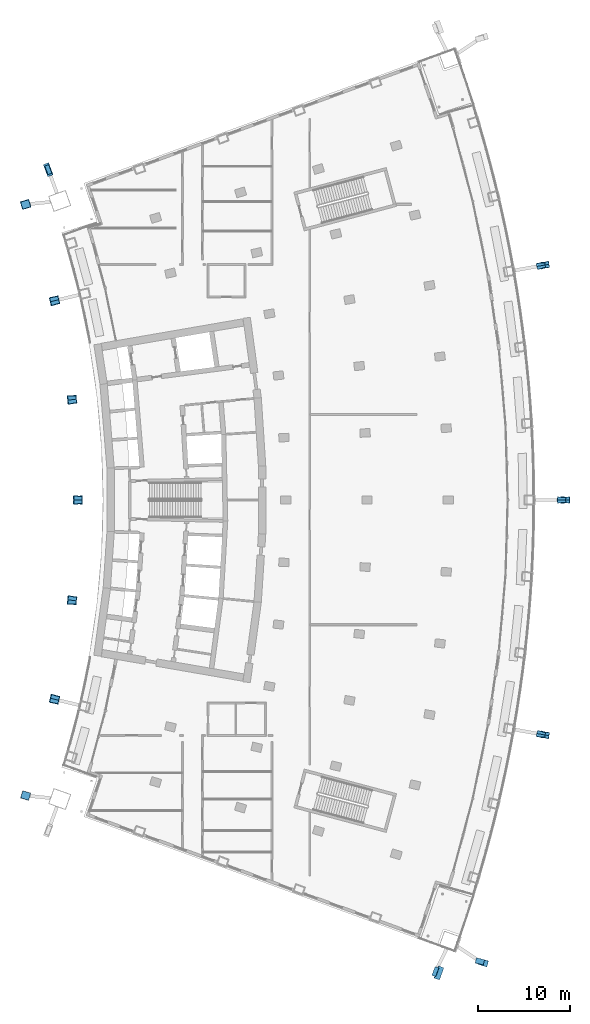
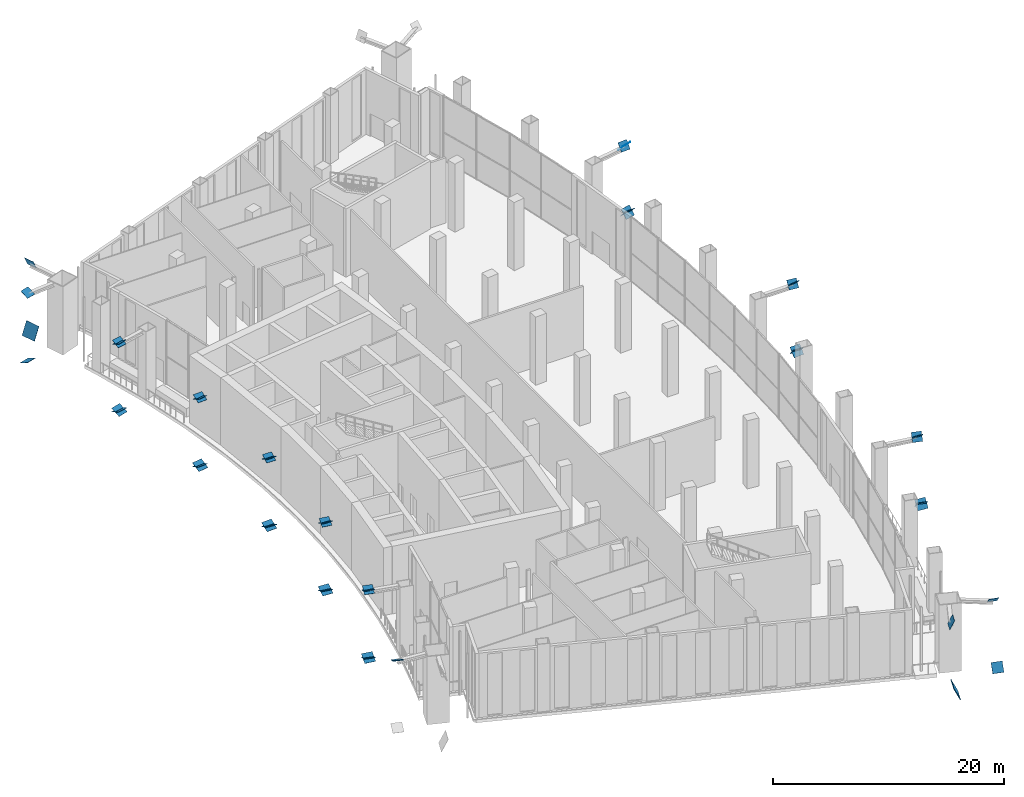
# One storey, part 21 of 27: 41 discrete accessories.
"""IFC4 building model written with IfcOpenShell, lengths in metres."""

from ifc_helpers import new_model, si_unit, direction, frame, origin, origin_2d, place, context, subcontext, project, spatial, rectangle, extrude, material, material_profile, profile_set, type_object, element, save


model = new_model("IFC4")

# Units and contexts
model_context = context("Model", 3, precision=1e-05, world=origin(), true_north=direction((0.0, 1.0)))
body_context = subcontext(model_context, "Body", "Model", "MODEL_VIEW")
ifc_project = project(units=[si_unit("LENGTHUNIT", "METRE"), si_unit("AREAUNIT", "SQUARE_METRE"), si_unit("VOLUMEUNIT", "CUBIC_METRE"), si_unit("PLANEANGLEUNIT", "RADIAN"), si_unit("MASSUNIT", "GRAM", prefix="KILO")], contexts=[model_context])

# Site, building, storey
site_placement = place(None, origin())
site = spatial("IfcSite", under=ifc_project, at=site_placement, CompositionType="ELEMENT")
building_placement = place(site_placement, origin())
building = spatial("IfcBuilding", under=site, at=building_placement, Name="Alderwake Tower", CompositionType="ELEMENT")
storey_placement = place(building_placement, frame((0.0, 0.0, 75.199951171875)))
storey = spatial("IfcBuildingStorey", under=building, at=storey_placement, Name="L18", CompositionType="ELEMENT", Elevation=75.199951171875)

# Discrete accessories
ifc_material_1 = material(Name="Steel ASTM A572 Grade 50", Category="steel")
ifc_material_profile_1 = material_profile(ifc_material_1, rectangle(XDim=1.0, YDim=1.0, at=origin_2d()), Name="BOX 1000X1000X60 cap")
ifc_profile_set_1 = profile_set([ifc_material_profile_1], Name="Steel ASTM A572 Grade 50")
discrete_accessory_type_1 = type_object("IfcDiscreteAccessoryType", Name="End cap plate BOX 1000X1000X60", PredefinedType="USERDEFINED", material=ifc_profile_set_1)
for number, where, z_axis, x_axis, name in (
    (1, (63.81591796875, 35.572021484375, 0.0), (0.186493297907, 0.737864787373, 0.648672340547), (-0.969512556416, 0.245041635138, 0.0), "End cap BRF1.2.1A N"),
    (2, (57.192138671875, 10.9208984375, 0.0), (-0.211054535295, -0.730573391407, 0.64939857014), (0.960714182841, -0.277539652821, 0.0), "End cap BRF1.2.1B2 N"),
):
    element("IfcDiscreteAccessory", number, at=place(storey_placement, frame(where, z_axis=z_axis, x_axis=x_axis)), inside=storey, type_object=discrete_accessory_type_1, Name=name, ObjectType="END CAP", PredefinedType="USERDEFINED", context=body_context, shape_type="SweptSolid", body=[
        extrude(rectangle(XDim=1.0, YDim=1.0, at=origin_2d()), origin(), (0.0, 0.0, 1.0), 0.030029296875),
    ])
discrete_accessory_1_placement = place(storey_placement, frame((66.046630859375, 61.0, 0.0), z_axis=(0.056619407259, 0.760317754623, 0.647078940105), x_axis=(-0.99723873131, 0.074262458715, 0.0)))
element("IfcDiscreteAccessory", 3, at=discrete_accessory_1_placement, inside=storey, type_object=discrete_accessory_type_1, Name="End cap BRF1.2.4A N", ObjectType="END CAP", PredefinedType="USERDEFINED", context=body_context, shape_type="SweptSolid", body=[
    extrude(rectangle(XDim=1.0, YDim=1.0, at=origin_2d()), origin(), (0.0, 0.0, 1.0), 0.0302734375),
])
for number, where, z_axis, x_axis, name in (
    (4, (63.81591796875, 35.572021484375, 0.0), (-0.0731683136, -0.756072573862, 0.650385009774), (0.995350013555, -0.09632419486, 0.0), "End cap BRF1.2.4B2 N"),
    (5, (63.81591796875, 86.427978515625, 0.0), (-0.0731683136, 0.756072573862, 0.650385009774), (-0.995350013555, -0.09632419486, 0.0), "End cap BRF1.2.7A N"),
):
    element("IfcDiscreteAccessory", number, at=place(storey_placement, frame(where, z_axis=z_axis, x_axis=x_axis)), inside=storey, type_object=discrete_accessory_type_1, Name=name, ObjectType="END CAP", PredefinedType="USERDEFINED", context=body_context, shape_type="SweptSolid", body=[
        extrude(rectangle(XDim=1.0, YDim=1.0, at=origin_2d()), origin(), (0.0, 0.0, 1.0), 0.030029296875),
    ])
discrete_accessory_2_placement = place(storey_placement, frame((66.046630859375, 61.0, 0.0), z_axis=(0.056619407259, -0.760317754623, 0.647078940105), x_axis=(0.99723873131, 0.074262458715, 0.0)))
element("IfcDiscreteAccessory", 6, at=discrete_accessory_2_placement, inside=storey, type_object=discrete_accessory_type_1, Name="End cap BRF1.2.7B2 N", ObjectType="END CAP", PredefinedType="USERDEFINED", context=body_context, shape_type="SweptSolid", body=[
    extrude(rectangle(XDim=1.0, YDim=1.0, at=origin_2d()), origin(), (0.0, 0.0, 1.0), 0.0302734375),
])
for number, where, z_axis, x_axis, name in (
    (7, (63.81591796875, 86.427978515625, 0.0), (0.186493297907, -0.737864787373, 0.648672340547), (0.969512556416, 0.245041635138, 0.0), "End cap BRF1.2.10B2 N"),
    (8, (10.771728515625, 39.427001953125, 0.0), (0.129926809902, 0.430382557802, 0.893246818079), (-0.957327710787, 0.289004591936, 0.0), "End cap BRR1.2.1A N"),
    (9, (12.665771484375, 50.1396484375, 0.0), (0.081044089847, 0.44574249416, 0.89148498832), (-0.9838699101, 0.1788854382, 0.0), "End cap BRR1.2.3A N"),
    (10, (10.771728515625, 39.427001953125, 0.0), (-0.08133576549, -0.439213133645, 0.894693420388), (0.983282004984, -0.182089260182, 0.0), "End cap BRR1.2.3B2 N"),
    (11, (13.300048828125, 61.0, 0.0), (0.024386214522, 0.447080599566, 0.894161199132), (-0.998515707931, 0.05446449316, 0.0), "End cap BRR1.2.5A N"),
    (12, (12.665771484375, 50.1396484375, 0.0), (-0.024386214522, -0.447080599566, 0.894161199132), (0.998515707931, -0.05446449316, 0.0), "End cap BRR1.2.5B2 N"),
    (13, (12.665771484375, 71.8603515625, 0.0), (-0.024386214522, 0.447080599566, 0.894161199132), (-0.998515707931, -0.05446449316, 0.0), "End cap BRR1.2.7A N"),
    (14, (13.300048828125, 61.0, 0.0), (0.024386214522, -0.447080599566, 0.894161199132), (0.998515707931, 0.05446449316, 0.0), "End cap BRR1.2.7B2 N"),
    (15, (10.771728515625, 82.572998046875, 0.0), (-0.08133576549, 0.439213133645, 0.894693420388), (-0.983282004984, -0.182089260182, 0.0), "End cap BRR1.2.9A N"),
    (16, (12.665771484375, 71.8603515625, 0.0), (0.081044089847, -0.44574249416, 0.89148498832), (0.9838699101, 0.1788854382, 0.0), "End cap BRR1.2.9B2 N"),
    (17, (7.6435546875, 92.992431640625, 0.0), (-0.129926809902, 0.430382557802, 0.893246818079), (-0.957327710787, -0.289004591936, 0.0), "End cap BRR1.2.11A N"),
    (18, (10.771728515625, 82.572998046875, 0.0), (0.129926809902, -0.430382557802, 0.893246818079), (0.957327710787, 0.289004591936, 0.0), "End cap BRR1.2.11B2 N"),
    (19, (51.995361328125, 9.943603515625, 7.199951171875), (0.847210096674, -0.309557535323, -0.431751299267), (0.343192952924, 0.939264923791, 0.0), "End cap BRS2.1.0B1 S"),
):
    element("IfcDiscreteAccessory", number, at=place(storey_placement, frame(where, z_axis=z_axis, x_axis=x_axis)), inside=storey, type_object=discrete_accessory_type_1, Name=name, ObjectType="END CAP", PredefinedType="USERDEFINED", context=body_context, shape_type="SweptSolid", body=[
        extrude(rectangle(XDim=1.0, YDim=1.0, at=origin_2d()), origin(), (0.0, 0.0, 1.0), 0.030029296875),
    ])
discrete_accessory_3_placement = place(storey_placement, frame((10.099365234375, 96.76318359375, 7.199951171875), z_axis=(-0.841861852195, -0.310589809548, -0.441364466199), x_axis=(0.346127430472, -0.93818750891, 0.0)))
element("IfcDiscreteAccessory", 20, at=discrete_accessory_3_placement, inside=storey, type_object=discrete_accessory_type_1, Name="End cap BRN2.1.0A S", ObjectType="END CAP", PredefinedType="USERDEFINED", context=body_context, shape_type="SweptSolid", body=[
    extrude(rectangle(XDim=1.0, YDim=1.0, at=origin_2d()), origin(), (0.0, 0.0, 1.0), 0.02978515625),
])
ifc_material_2 = material(Name="Steel ASTM A572 Grade 50", Category="steel")
ifc_material_profile_2 = material_profile(ifc_material_2, rectangle(XDim=1.39990234375, YDim=1.39990234375, at=origin_2d()), Name="BOX 1400X1400X80 cap")
ifc_profile_set_2 = profile_set([ifc_material_profile_2], Name="Steel ASTM A572 Grade 50")
discrete_accessory_type_2 = type_object("IfcDiscreteAccessoryType", Name="End cap plate BOX 1400X1400X80", PredefinedType="USERDEFINED", material=ifc_profile_set_2)
for number, where, z_axis, x_axis, name in (
    (21, (52.37109375, 9.806396484375, 0.0), (0.847210096674, -0.309557535323, 0.431751299267), (0.343192952924, 0.939264923791, 0.0), "End cap BRS1.2.0A N"),
    (22, (10.099365234375, 96.76318359375, 0.0), (-0.847210096674, -0.309557535323, 0.431751299267), (0.343192952924, -0.939264923791, 0.0), "End cap BRN1.2.0B2 N"),
):
    element("IfcDiscreteAccessory", number, at=place(storey_placement, frame(where, z_axis=z_axis, x_axis=x_axis)), inside=storey, type_object=discrete_accessory_type_2, Name=name, ObjectType="END CAP", PredefinedType="USERDEFINED", context=body_context, shape_type="SweptSolid", body=[
        extrude(rectangle(XDim=1.39990234375, YDim=1.39990234375, at=origin_2d()), origin(), (0.0, 0.0, 1.0), 0.030029296875),
    ])
ifc_material_3 = material(Name="Steel ASTM A572 Grade 50", Category="steel")
ifc_material_profile_3 = material_profile(ifc_material_3, rectangle(XDim=0.89990234375, YDim=0.89990234375, at=origin_2d()), Name="BOX 900X900X55 cap")
ifc_profile_set_3 = profile_set([ifc_material_profile_3], Name="Steel ASTM A572 Grade 50")
discrete_accessory_type_3 = type_object("IfcDiscreteAccessoryType", Name="End cap plate BOX 900X900X55", PredefinedType="USERDEFINED", material=ifc_profile_set_3)
for number, where, z_axis, x_axis, name in (
    (23, (56.815185546875, 11.05859375, 7.199951171875), (-0.179593332729, -0.742863330832, -0.644903331162), (0.971998136057, -0.234988560365, 0.0), "End cap BRF2.1.1A S"),
    (24, (63.420654296875, 35.64208984375, 7.199951171875), (0.221259451958, 0.729336712011, -0.647388766841), (-0.956933928415, 0.290305798508, 0.0), "End cap BRF2.1.1B1 S"),
):
    element("IfcDiscreteAccessory", number, at=place(storey_placement, frame(where, z_axis=z_axis, x_axis=x_axis)), inside=storey, type_object=discrete_accessory_type_3, Name=name, ObjectType="END CAP", PredefinedType="USERDEFINED", context=body_context, shape_type="SweptSolid", body=[
        extrude(rectangle(XDim=0.89990234375, YDim=0.89990234375, at=origin_2d()), origin(), (0.0, 0.0, 1.0), 0.02978515625),
    ])
for number, where, z_axis, x_axis, name in (
    (25, (63.420654296875, 35.64208984375, 7.199951171875), (-0.048806302711, -0.764632075799, -0.642616319023), (0.997969082864, -0.063700154225, 0.0), "End cap BRF2.1.4A S"),
    (26, (65.64501953125, 61.0, 7.199951171875), (0.089781709975, 0.759063547969, -0.644795917092), (-0.993077521975, 0.117460782169, 0.0), "End cap BRF2.1.4B1 S"),
    (27, (65.64501953125, 61.0, 7.199951171875), (0.089781709975, -0.759063547969, -0.644795917092), (0.993077521975, 0.117460782169, 0.0), "End cap BRF2.1.7A S"),
    (28, (63.420654296875, 86.35791015625, 7.199951171875), (-0.048806302711, 0.764632075799, -0.642616319023), (-0.997969082864, -0.063700154225, 0.0), "End cap BRF2.1.7B1 S"),
):
    element("IfcDiscreteAccessory", number, at=place(storey_placement, frame(where, z_axis=z_axis, x_axis=x_axis)), inside=storey, type_object=discrete_accessory_type_3, Name=name, ObjectType="END CAP", PredefinedType="USERDEFINED", context=body_context, shape_type="SweptSolid", body=[
        extrude(rectangle(XDim=0.89990234375, YDim=0.89990234375, at=origin_2d()), origin(), (0.0, 0.0, 1.0), 0.030029296875),
    ])
for number, where, z_axis, x_axis, name in (
    (29, (63.420654296875, 86.35791015625, 7.199951171875), (0.221259451958, -0.729336712011, -0.647388766841), (0.956933928415, 0.290305798508, 0.0), "End cap BRF2.1.10A S"),
    (30, (7.6435546875, 29.007568359375, 7.199951171875), (-0.130875240782, -0.433524235091, -0.891587577829), (0.957327710787, -0.289004591936, 0.0), "End cap BRR2.1.1A S"),
    (31, (10.771728515625, 39.427001953125, 7.199951171875), (0.130875240782, 0.433524235091, -0.891587577829), (-0.957327710787, 0.289004591936, 0.0), "End cap BRR2.1.1B1 S"),
    (32, (10.771728515625, 39.427001953125, 7.199951171875), (-0.081931440599, -0.442429779233, -0.893052702526), (0.983282004984, -0.182089260182, 0.0), "End cap BRR2.1.3A S"),
    (33, (12.665771484375, 50.1396484375, 7.199951171875), (0.081633333059, 0.448983331822, -0.889803330338), (-0.9838699101, 0.1788854382, 0.0), "End cap BRR2.1.3B1 S"),
    (34, (12.665771484375, 50.1396484375, 7.199951171875), (-0.024564595996, -0.450350926601, -0.892513654536), (0.998515707931, -0.05446449316, 0.0), "End cap BRR2.1.5A S"),
    (35, (13.300048828125, 61.0, 7.199951171875), (0.024564595996, 0.450350926601, -0.892513654536), (-0.998515707931, 0.05446449316, 0.0), "End cap BRR2.1.5B1 S"),
    (36, (13.300048828125, 61.0, 7.199951171875), (0.024564595996, -0.450350926601, -0.892513654536), (0.998515707931, 0.05446449316, 0.0), "End cap BRR2.1.7A S"),
    (37, (12.665771484375, 71.8603515625, 7.199951171875), (-0.024564595996, 0.450350926601, -0.892513654536), (-0.998515707931, -0.05446449316, 0.0), "End cap BRR2.1.7B1 S"),
    (38, (12.665771484375, 71.8603515625, 7.199951171875), (0.081633333059, -0.448983331822, -0.889803330338), (0.9838699101, 0.1788854382, 0.0), "End cap BRR2.1.9A S"),
    (39, (10.771728515625, 82.572998046875, 7.199951171875), (-0.081931440599, 0.442429779233, -0.893052702526), (-0.983282004984, -0.182089260182, 0.0), "End cap BRR2.1.9B1 S"),
    (40, (10.771728515625, 82.572998046875, 7.199951171875), (0.130875240782, -0.433524235091, -0.891587577829), (0.957327710787, 0.289004591936, 0.0), "End cap BRR2.1.11A S"),
    (41, (7.6435546875, 92.992431640625, 7.199951171875), (-0.130875240782, 0.433524235091, -0.891587577829), (-0.957327710787, -0.289004591936, 0.0), "End cap BRR2.1.11B1 S"),
):
    element("IfcDiscreteAccessory", number, at=place(storey_placement, frame(where, z_axis=z_axis, x_axis=x_axis)), inside=storey, type_object=discrete_accessory_type_3, Name=name, ObjectType="END CAP", PredefinedType="USERDEFINED", context=body_context, shape_type="SweptSolid", body=[
        extrude(rectangle(XDim=0.89990234375, YDim=0.89990234375, at=origin_2d()), origin(), (0.0, 0.0, 1.0), 0.02978515625),
    ])

save(model, "model.ifc")
